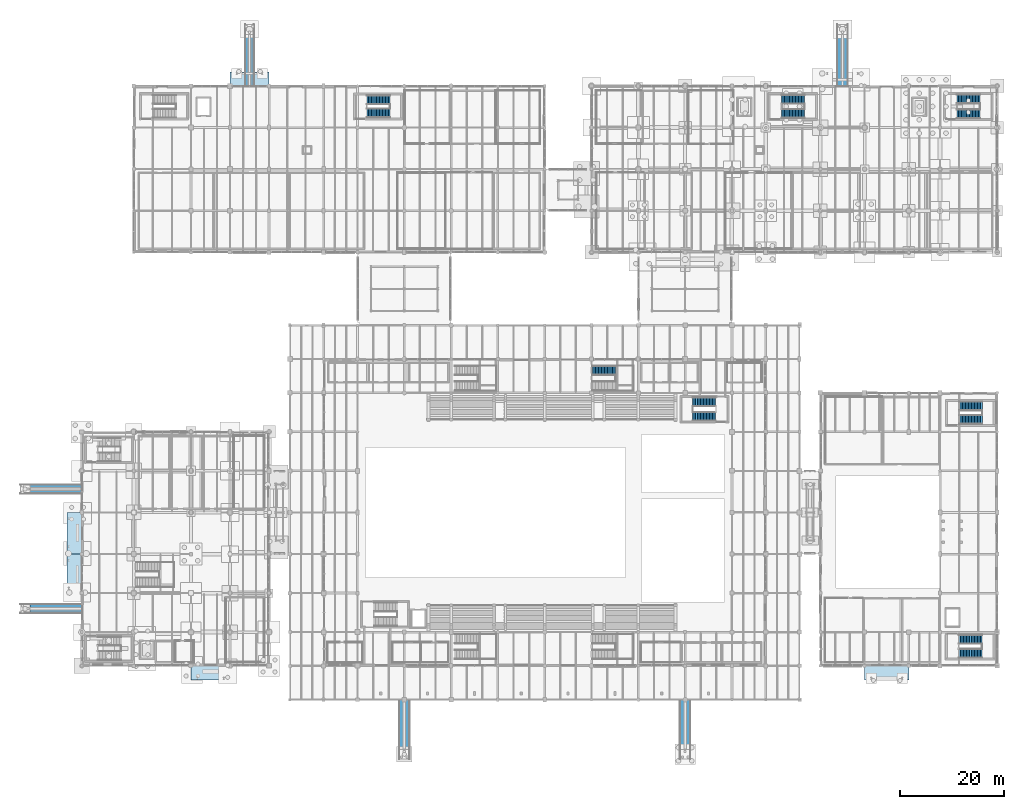
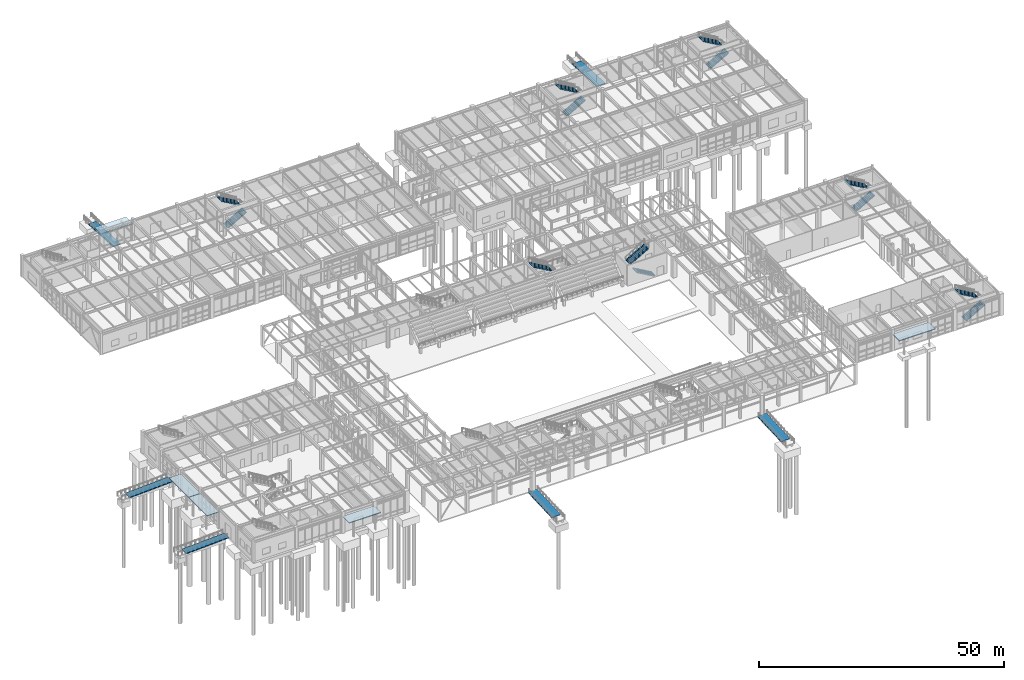
# One storey, part 186 of 203: 13 stair flights, 6 ramp flights, 5 roofs, 13 elements without a shape of their own.
"""IFC4 building model written with IfcOpenShell, lengths in metres."""

from ifc_helpers import new_model, si_unit, direction, frame, origin, place, context, subcontext, project, spatial, polyline, outline, extrude, material, layer, layer_set, type_object, element, aggregate, save


model = new_model("IFC4")

# Units and contexts
model_context = context("Model", 3, precision=1e-05, world=origin(), true_north=direction((0.0, 1.0)))
body_context = subcontext(model_context, "Body", "Model", "MODEL_VIEW")
ifc_project = project(units=[si_unit("LENGTHUNIT", "METRE"), si_unit("AREAUNIT", "SQUARE_METRE"), si_unit("VOLUMEUNIT", "CUBIC_METRE"), si_unit("PLANEANGLEUNIT", "RADIAN"), si_unit("MASSUNIT", "GRAM", prefix="KILO"), si_unit("THERMODYNAMICTEMPERATUREUNIT", "KELVIN"), si_unit("POWERUNIT", "WATT")], contexts=[model_context])

# Site, building, storey
site_placement = place(None, origin())
site = spatial("IfcSite", under=ifc_project, at=site_placement, CompositionType="ELEMENT")
building_placement = place(site_placement, origin())
building = spatial("IfcBuilding", under=site, at=building_placement, Name="Tepalcoro Natatorium and Aquatics Centre", CompositionType="ELEMENT")
storey_placement = place(building_placement, origin())
storey = spatial("IfcBuildingStorey", under=building, at=storey_placement, Name="L00", CompositionType="ELEMENT", Elevation=0.0)

# Stair, stair flights
ifc_material_1 = material(Name="Concrete C35/45 (fc 35 MPa)", Category="concrete")
stair_type_1 = type_object("IfcStairType", Name="ST_RC_1800_L03", PredefinedType="HALF_TURN_STAIR", material=ifc_material_1)
stair_1_placement = place(storey_placement, origin())
stair_1 = element("IfcStair", 1, at=stair_1_placement, inside=storey, type_object=stair_type_1, Name="Diving Wing North Fire Stair (L00 to L01)", PredefinedType="HALF_TURN_STAIR")
ifc_layer_1 = layer(ifc_material_1, 0.199951171875)
ifc_layer_set_1 = layer_set([ifc_layer_1], Name="Concrete C35/45 (fc 35 MPa)")
stair_flight_type_1 = type_object("IfcStairFlightType", Name="SF_RC_1800_B1", PredefinedType="STRAIGHT", material=ifc_layer_set_1)
stair_flight_1_placement = place(storey_placement, frame((168.699951171875, 53.840087890625, 0.0), z_axis=(0.0, 0.0, 1.0), x_axis=(1.0, 0.0, 0.0)))
stair_flight_1 = element("IfcStairFlight", 2, at=stair_flight_1_placement, type_object=stair_flight_type_1, Name="Diving Wing North Fire Stair (L00 to L01) Flight 1", NumberOfRisers=16, NumberOfTreads=15, PredefinedType="STRAIGHT", RiserHeight=0.16875, TreadLength=0.295, context=body_context, shape_type="SweptSolid", body=[
    extrude(outline(polyline([(0.0, 0.0), (0.0, 0.168701171875), (0.294921875, 0.168701171875), (0.294921875, 0.33740234375), (0.590087890625, 0.33740234375), (0.590087890625, 0.50634765625), (0.885009765625, 0.50634765625), (0.885009765625, 0.675048828125), (1.179931640625, 0.675048828125), (1.179931640625, 0.84375), (1.47509765625, 0.84375), (1.47509765625, 1.012451171875), (1.77001953125, 1.012451171875), (1.77001953125, 1.18115234375), (2.06494140625, 1.18115234375), (2.06494140625, 1.35009765625), (2.360107421875, 1.35009765625), (2.360107421875, 1.518798828125), (2.655029296875, 1.518798828125), (2.655029296875, 1.6875), (2.949951171875, 1.6875), (2.949951171875, 1.856201171875), (3.2451171875, 1.856201171875), (3.2451171875, 2.02490234375), (3.5400390625, 2.02490234375), (3.5400390625, 2.19384765625), (3.8349609375, 2.19384765625), (3.8349609375, 2.362548828125), (4.1298828125, 2.362548828125), (4.1298828125, 2.53125), (4.425048828125, 2.53125), (4.425048828125, 2.699951171875), (4.425048828125, 2.30078125), (0.402587890625, 0.0), (0.0, 0.0)])), frame((0.0, 0.89990234375, 0.0), z_axis=(0.0, -1.0, 0.0), x_axis=(1.0, 0.0, 0.0)), (0.0, 0.0, 1.0), 1.800048828125),
])
stair_flight_2_placement = place(storey_placement, frame((173.125, 56.4599609375, 2.699951171875), z_axis=(0.0, 0.0, 1.0), x_axis=(-1.0, 0.0, 0.0)))
stair_flight_2 = element("IfcStairFlight", 3, at=stair_flight_2_placement, type_object=stair_flight_type_1, Name="Diving Wing North Fire Stair (L00 to L01) Flight 2", NumberOfRisers=16, NumberOfTreads=15, PredefinedType="STRAIGHT", RiserHeight=0.16875, TreadLength=0.295, context=body_context, shape_type="SweptSolid", body=[
    extrude(outline(polyline([(0.0, 0.0), (0.0, 0.168701171875), (0.294921875, 0.168701171875), (0.294921875, 0.33740234375), (0.590087890625, 0.33740234375), (0.590087890625, 0.50634765625), (0.885009765625, 0.50634765625), (0.885009765625, 0.675048828125), (1.179931640625, 0.675048828125), (1.179931640625, 0.84375), (1.47509765625, 0.84375), (1.47509765625, 1.012451171875), (1.77001953125, 1.012451171875), (1.77001953125, 1.18115234375), (2.06494140625, 1.18115234375), (2.06494140625, 1.35009765625), (2.360107421875, 1.35009765625), (2.360107421875, 1.518798828125), (2.655029296875, 1.518798828125), (2.655029296875, 1.6875), (2.949951171875, 1.6875), (2.949951171875, 1.856201171875), (3.2451171875, 1.856201171875), (3.2451171875, 2.02490234375), (3.5400390625, 2.02490234375), (3.5400390625, 2.19384765625), (3.8349609375, 2.19384765625), (3.8349609375, 2.362548828125), (4.1298828125, 2.362548828125), (4.1298828125, 2.53125), (4.425048828125, 2.53125), (4.425048828125, 2.699951171875), (4.425048828125, 2.30078125), (0.402587890625, 0.0), (0.0, 0.0)])), frame((0.0, 0.89990234375, 0.0), z_axis=(0.0, -1.0, 0.0), x_axis=(1.0, 0.0, 0.0)), (0.0, 0.0, 1.0), 1.800048828125),
])
aggregate(stair_1, [stair_flight_1, stair_flight_2])

stair_type_2 = type_object("IfcStairType", Name="ST_RC_1800_L02", PredefinedType="HALF_TURN_STAIR", material=ifc_material_1)
stair_2_placement = place(storey_placement, origin())
stair_2 = element("IfcStair", 4, at=stair_2_placement, inside=storey, type_object=stair_type_2, Name="Training Wing East Fire Stair (L00 to L01)", PredefinedType="HALF_TURN_STAIR")
stair_flight_3_placement = place(storey_placement, frame((54.85009765625, 112.739990234375, 0.0), z_axis=(0.0, 0.0, 1.0), x_axis=(1.0, 0.0, 0.0)))
stair_flight_3 = element("IfcStairFlight", 5, at=stair_flight_3_placement, type_object=stair_flight_type_1, Name="Training Wing East Fire Stair (L00 to L01) Flight 1", NumberOfRisers=16, NumberOfTreads=15, PredefinedType="STRAIGHT", RiserHeight=0.16875, TreadLength=0.295, context=body_context, shape_type="SweptSolid", body=[
    extrude(outline(polyline([(0.0, 0.0), (0.0, 0.168701171875), (0.294921875, 0.168701171875), (0.294921875, 0.33740234375), (0.590087890625, 0.33740234375), (0.590087890625, 0.50634765625), (0.885009765625, 0.50634765625), (0.885009765625, 0.675048828125), (1.179931640625, 0.675048828125), (1.179931640625, 0.84375), (1.47509765625, 0.84375), (1.47509765625, 1.012451171875), (1.77001953125, 1.012451171875), (1.77001953125, 1.18115234375), (2.06494140625, 1.18115234375), (2.06494140625, 1.35009765625), (2.360107421875, 1.35009765625), (2.360107421875, 1.518798828125), (2.655029296875, 1.518798828125), (2.655029296875, 1.6875), (2.949951171875, 1.6875), (2.949951171875, 1.856201171875), (3.2451171875, 1.856201171875), (3.2451171875, 2.02490234375), (3.5400390625, 2.02490234375), (3.5400390625, 2.19384765625), (3.8349609375, 2.19384765625), (3.8349609375, 2.362548828125), (4.1298828125, 2.362548828125), (4.1298828125, 2.53125), (4.425048828125, 2.53125), (4.425048828125, 2.699951171875), (4.425048828125, 2.30078125), (0.402587890625, 0.0), (0.0, 0.0)])), frame((0.0, 0.89990234375, 0.0), z_axis=(0.0, -1.0, 0.0), x_axis=(1.0, 0.0, 0.0)), (0.0, 0.0, 1.0), 1.800048828125),
])
stair_flight_4_placement = place(storey_placement, frame((59.27490234375, 115.360107421875, 2.699951171875), z_axis=(0.0, 0.0, 1.0), x_axis=(-1.0, 0.0, 0.0)))
stair_flight_4 = element("IfcStairFlight", 6, at=stair_flight_4_placement, type_object=stair_flight_type_1, Name="Training Wing East Fire Stair (L00 to L01) Flight 2", NumberOfRisers=16, NumberOfTreads=15, PredefinedType="STRAIGHT", RiserHeight=0.16875, TreadLength=0.295, context=body_context, shape_type="SweptSolid", body=[
    extrude(outline(polyline([(0.0, 0.0), (0.0, 0.168701171875), (0.294921875, 0.168701171875), (0.294921875, 0.33740234375), (0.590087890625, 0.33740234375), (0.590087890625, 0.50634765625), (0.885009765625, 0.50634765625), (0.885009765625, 0.675048828125), (1.179931640625, 0.675048828125), (1.179931640625, 0.84375), (1.47509765625, 0.84375), (1.47509765625, 1.012451171875), (1.77001953125, 1.012451171875), (1.77001953125, 1.18115234375), (2.06494140625, 1.18115234375), (2.06494140625, 1.35009765625), (2.360107421875, 1.35009765625), (2.360107421875, 1.518798828125), (2.655029296875, 1.518798828125), (2.655029296875, 1.6875), (2.949951171875, 1.6875), (2.949951171875, 1.856201171875), (3.2451171875, 1.856201171875), (3.2451171875, 2.02490234375), (3.5400390625, 2.02490234375), (3.5400390625, 2.19384765625), (3.8349609375, 2.19384765625), (3.8349609375, 2.362548828125), (4.1298828125, 2.362548828125), (4.1298828125, 2.53125), (4.425048828125, 2.53125), (4.425048828125, 2.699951171875), (4.425048828125, 2.30078125), (0.402587890625, 0.0), (0.0, 0.0)])), frame((0.0, 0.89990234375, 0.0), z_axis=(0.0, -1.0, 0.0), x_axis=(1.0, 0.0, 0.0)), (0.0, 0.0, 1.0), 1.800048828125),
])
aggregate(stair_2, [stair_flight_3, stair_flight_4])

stair_3_placement = place(storey_placement, origin())
stair_3 = element("IfcStair", 7, at=stair_3_placement, inside=storey, type_object=stair_type_2, Name="Wellness & Broadcast West Fire Stair (L00 to L01)", PredefinedType="HALF_TURN_STAIR")
stair_flight_5_placement = place(storey_placement, frame((134.550048828125, 112.639892578125, 0.0), z_axis=(0.0, 0.0, 1.0), x_axis=(1.0, 0.0, 0.0)))
stair_flight_5 = element("IfcStairFlight", 8, at=stair_flight_5_placement, type_object=stair_flight_type_1, Name="Wellness & Broadcast West Fire Stair (L00 to L01) Flight 1", NumberOfRisers=16, NumberOfTreads=15, PredefinedType="STRAIGHT", RiserHeight=0.16875, TreadLength=0.295, context=body_context, shape_type="SweptSolid", body=[
    extrude(outline(polyline([(0.0, 0.0), (0.0, 0.168701171875), (0.294921875, 0.168701171875), (0.294921875, 0.33740234375), (0.590087890625, 0.33740234375), (0.590087890625, 0.50634765625), (0.885009765625, 0.50634765625), (0.885009765625, 0.675048828125), (1.179931640625, 0.675048828125), (1.179931640625, 0.84375), (1.47509765625, 0.84375), (1.47509765625, 1.012451171875), (1.77001953125, 1.012451171875), (1.77001953125, 1.18115234375), (2.06494140625, 1.18115234375), (2.06494140625, 1.35009765625), (2.360107421875, 1.35009765625), (2.360107421875, 1.518798828125), (2.655029296875, 1.518798828125), (2.655029296875, 1.6875), (2.949951171875, 1.6875), (2.949951171875, 1.856201171875), (3.2451171875, 1.856201171875), (3.2451171875, 2.02490234375), (3.5400390625, 2.02490234375), (3.5400390625, 2.19384765625), (3.8349609375, 2.19384765625), (3.8349609375, 2.362548828125), (4.1298828125, 2.362548828125), (4.1298828125, 2.53125), (4.425048828125, 2.53125), (4.425048828125, 2.699951171875), (4.425048828125, 2.30078125), (0.402587890625, 0.0), (0.0, 0.0)])), frame((0.0, 0.89990234375, 0.0), z_axis=(0.0, -1.0, 0.0), x_axis=(1.0, 0.0, 0.0)), (0.0, 0.0, 1.0), 1.800048828125),
])
stair_flight_6_placement = place(storey_placement, frame((138.97509765625, 115.4599609375, 2.699951171875), z_axis=(0.0, 0.0, 1.0), x_axis=(-1.0, 0.0, 0.0)))
stair_flight_6 = element("IfcStairFlight", 9, at=stair_flight_6_placement, type_object=stair_flight_type_1, Name="Wellness & Broadcast West Fire Stair (L00 to L01) Flight 2", NumberOfRisers=16, NumberOfTreads=15, PredefinedType="STRAIGHT", RiserHeight=0.16875, TreadLength=0.295, context=body_context, shape_type="SweptSolid", body=[
    extrude(outline(polyline([(0.0, 0.0), (0.0, 0.168701171875), (0.294921875, 0.168701171875), (0.294921875, 0.33740234375), (0.590087890625, 0.33740234375), (0.590087890625, 0.50634765625), (0.885009765625, 0.50634765625), (0.885009765625, 0.675048828125), (1.179931640625, 0.675048828125), (1.179931640625, 0.84375), (1.47509765625, 0.84375), (1.47509765625, 1.012451171875), (1.77001953125, 1.012451171875), (1.77001953125, 1.18115234375), (2.06494140625, 1.18115234375), (2.06494140625, 1.35009765625), (2.360107421875, 1.35009765625), (2.360107421875, 1.518798828125), (2.655029296875, 1.518798828125), (2.655029296875, 1.6875), (2.949951171875, 1.6875), (2.949951171875, 1.856201171875), (3.2451171875, 1.856201171875), (3.2451171875, 2.02490234375), (3.5400390625, 2.02490234375), (3.5400390625, 2.19384765625), (3.8349609375, 2.19384765625), (3.8349609375, 2.362548828125), (4.1298828125, 2.362548828125), (4.1298828125, 2.53125), (4.425048828125, 2.53125), (4.425048828125, 2.699951171875), (4.425048828125, 2.30078125), (0.402587890625, 0.0), (0.0, 0.0)])), frame((0.0, 0.89990234375, 0.0), z_axis=(0.0, -1.0, 0.0), x_axis=(1.0, 0.0, 0.0)), (0.0, 0.0, 1.0), 1.800048828125),
])
aggregate(stair_3, [stair_flight_5, stair_flight_6])

stair_4_placement = place(storey_placement, origin())
stair_4 = element("IfcStair", 10, at=stair_4_placement, inside=storey, type_object=stair_type_1, Name="Wellness & Broadcast East Fire Stair (L00 to L01)", PredefinedType="HALF_TURN_STAIR")
ifc_layer_2 = layer(ifc_material_1, 0.2099609375)
ifc_layer_set_2 = layer_set([ifc_layer_2], Name="Concrete C35/45 (fc 35 MPa)")
stair_flight_type_2 = type_object("IfcStairFlightType", Name="SF_RC_1800_L00", PredefinedType="STRAIGHT", material=ifc_layer_set_2)
stair_flight_7_placement = place(storey_placement, frame((168.280029296875, 112.6201171875, 0.0), z_axis=(0.0, 0.0, 1.0), x_axis=(1.0, 0.0, 0.0)))
stair_flight_7 = element("IfcStairFlight", 11, at=stair_flight_7_placement, type_object=stair_flight_type_2, Name="Wellness & Broadcast East Fire Stair (L00 to L01) Flight 1", NumberOfRisers=16, NumberOfTreads=15, PredefinedType="STRAIGHT", RiserHeight=0.16875, TreadLength=0.295, context=body_context, shape_type="SweptSolid", body=[
    extrude(outline(polyline([(0.0, 0.0), (0.0, 0.168701171875), (0.294921875, 0.168701171875), (0.294921875, 0.33740234375), (0.590087890625, 0.33740234375), (0.590087890625, 0.50634765625), (0.885009765625, 0.50634765625), (0.885009765625, 0.675048828125), (1.179931640625, 0.675048828125), (1.179931640625, 0.84375), (1.47509765625, 0.84375), (1.47509765625, 1.012451171875), (1.77001953125, 1.012451171875), (1.77001953125, 1.18115234375), (2.06494140625, 1.18115234375), (2.06494140625, 1.35009765625), (2.360107421875, 1.35009765625), (2.360107421875, 1.518798828125), (2.655029296875, 1.518798828125), (2.655029296875, 1.6875), (2.949951171875, 1.6875), (2.949951171875, 1.856201171875), (3.2451171875, 1.856201171875), (3.2451171875, 2.02490234375), (3.5400390625, 2.02490234375), (3.5400390625, 2.19384765625), (3.8349609375, 2.19384765625), (3.8349609375, 2.362548828125), (4.1298828125, 2.362548828125), (4.1298828125, 2.53125), (4.425048828125, 2.53125), (4.425048828125, 2.699951171875), (4.425048828125, 2.289306640625), (0.4228515625, 0.0), (0.0, 0.0)])), frame((0.0, 0.89990234375, 0.0), z_axis=(0.0, -1.0, 0.0), x_axis=(1.0, 0.0, 0.0)), (0.0, 0.0, 1.0), 1.800048828125),
])
stair_flight_8_placement = place(storey_placement, frame((172.705078125, 115.47998046875, 2.699951171875), z_axis=(0.0, 0.0, 1.0), x_axis=(-1.0, 0.0, 0.0)))
stair_flight_8 = element("IfcStairFlight", 12, at=stair_flight_8_placement, type_object=stair_flight_type_2, Name="Wellness & Broadcast East Fire Stair (L00 to L01) Flight 2", NumberOfRisers=16, NumberOfTreads=15, PredefinedType="STRAIGHT", RiserHeight=0.16875, TreadLength=0.295, context=body_context, shape_type="SweptSolid", body=[
    extrude(outline(polyline([(0.0, 0.0), (0.0, 0.168701171875), (0.294921875, 0.168701171875), (0.294921875, 0.33740234375), (0.590087890625, 0.33740234375), (0.590087890625, 0.50634765625), (0.885009765625, 0.50634765625), (0.885009765625, 0.675048828125), (1.179931640625, 0.675048828125), (1.179931640625, 0.84375), (1.47509765625, 0.84375), (1.47509765625, 1.012451171875), (1.77001953125, 1.012451171875), (1.77001953125, 1.18115234375), (2.06494140625, 1.18115234375), (2.06494140625, 1.35009765625), (2.360107421875, 1.35009765625), (2.360107421875, 1.518798828125), (2.655029296875, 1.518798828125), (2.655029296875, 1.6875), (2.949951171875, 1.6875), (2.949951171875, 1.856201171875), (3.2451171875, 1.856201171875), (3.2451171875, 2.02490234375), (3.5400390625, 2.02490234375), (3.5400390625, 2.19384765625), (3.8349609375, 2.19384765625), (3.8349609375, 2.362548828125), (4.1298828125, 2.362548828125), (4.1298828125, 2.53125), (4.425048828125, 2.53125), (4.425048828125, 2.699951171875), (4.425048828125, 2.289306640625), (0.4228515625, 0.0), (0.0, 0.0)])), frame((0.0, 0.89990234375, 0.0), z_axis=(0.0, -1.0, 0.0), x_axis=(1.0, 0.0, 0.0)), (0.0, 0.0, 1.0), 1.800048828125),
])
aggregate(stair_4, [stair_flight_7, stair_flight_8])

stair_type_3 = type_object("IfcStairType", Name="ST_RC_1800_L01", PredefinedType="HALF_TURN_STAIR", material=ifc_material_1)
stair_5_placement = place(storey_placement, origin())
stair_5 = element("IfcStair", 13, at=stair_5_placement, inside=storey, type_object=stair_type_3, Name="Natatorium East Fire Stair (L00 to L01)", PredefinedType="HALF_TURN_STAIR")
ifc_layer_3 = layer(ifc_material_1, 0.219970703125)
ifc_layer_set_3 = layer_set([ifc_layer_3], Name="Concrete C35/45 (fc 35 MPa)")
stair_flight_type_3 = type_object("IfcStairFlightType", Name="SF_RC_1800_L01", PredefinedType="STRAIGHT", material=ifc_layer_set_3)
stair_flight_9_placement = place(storey_placement, frame((121.8701171875, 54.419921875, 0.0), z_axis=(0.0, 0.0, 1.0), x_axis=(-1.0, 0.0, 0.0)))
stair_flight_9 = element("IfcStairFlight", 14, at=stair_flight_9_placement, type_object=stair_flight_type_3, Name="Natatorium East Fire Stair (L00 to L01) Flight 1", NumberOfRisers=16, NumberOfTreads=15, PredefinedType="STRAIGHT", RiserHeight=0.16875, TreadLength=0.295, context=body_context, shape_type="SweptSolid", body=[
    extrude(outline(polyline([(0.0, 0.0), (0.0, 0.168701171875), (0.294921875, 0.168701171875), (0.294921875, 0.33740234375), (0.590087890625, 0.33740234375), (0.590087890625, 0.50634765625), (0.885009765625, 0.50634765625), (0.885009765625, 0.675048828125), (1.179931640625, 0.675048828125), (1.179931640625, 0.84375), (1.47509765625, 0.84375), (1.47509765625, 1.012451171875), (1.77001953125, 1.012451171875), (1.77001953125, 1.18115234375), (2.06494140625, 1.18115234375), (2.06494140625, 1.35009765625), (2.360107421875, 1.35009765625), (2.360107421875, 1.518798828125), (2.655029296875, 1.518798828125), (2.655029296875, 1.6875), (2.949951171875, 1.6875), (2.949951171875, 1.856201171875), (3.2451171875, 1.856201171875), (3.2451171875, 2.02490234375), (3.5400390625, 2.02490234375), (3.5400390625, 2.19384765625), (3.8349609375, 2.19384765625), (3.8349609375, 2.362548828125), (4.1298828125, 2.362548828125), (4.1298828125, 2.53125), (4.425048828125, 2.53125), (4.425048828125, 2.699951171875), (4.425048828125, 2.27783203125), (0.443115234375, 0.0), (0.0, 0.0)])), frame((0.0, 0.89990234375, 0.0), z_axis=(0.0, -1.0, 0.0), x_axis=(1.0, 0.0, 0.0)), (0.0, 0.0, 1.0), 1.800048828125),
])
stair_flight_10_placement = place(storey_placement, frame((117.445068359375, 57.280029296875, 2.699951171875), z_axis=(0.0, 0.0, 1.0), x_axis=(1.0, 0.0, 0.0)))
stair_flight_10 = element("IfcStairFlight", 15, at=stair_flight_10_placement, type_object=stair_flight_type_3, Name="Natatorium East Fire Stair (L00 to L01) Flight 2", NumberOfRisers=16, NumberOfTreads=15, PredefinedType="STRAIGHT", RiserHeight=0.16875, TreadLength=0.295, context=body_context, shape_type="SweptSolid", body=[
    extrude(outline(polyline([(0.0, 0.0), (0.0, 0.168701171875), (0.294921875, 0.168701171875), (0.294921875, 0.33740234375), (0.590087890625, 0.33740234375), (0.590087890625, 0.50634765625), (0.885009765625, 0.50634765625), (0.885009765625, 0.675048828125), (1.179931640625, 0.675048828125), (1.179931640625, 0.84375), (1.47509765625, 0.84375), (1.47509765625, 1.012451171875), (1.77001953125, 1.012451171875), (1.77001953125, 1.18115234375), (2.06494140625, 1.18115234375), (2.06494140625, 1.35009765625), (2.360107421875, 1.35009765625), (2.360107421875, 1.518798828125), (2.655029296875, 1.518798828125), (2.655029296875, 1.6875), (2.949951171875, 1.6875), (2.949951171875, 1.856201171875), (3.2451171875, 1.856201171875), (3.2451171875, 2.02490234375), (3.5400390625, 2.02490234375), (3.5400390625, 2.19384765625), (3.8349609375, 2.19384765625), (3.8349609375, 2.362548828125), (4.1298828125, 2.362548828125), (4.1298828125, 2.53125), (4.425048828125, 2.53125), (4.425048828125, 2.699951171875), (4.425048828125, 2.27783203125), (0.443115234375, 0.0), (0.0, 0.0)])), frame((0.0, 0.89990234375, 0.0), z_axis=(0.0, -1.0, 0.0), x_axis=(1.0, 0.0, 0.0)), (0.0, 0.0, 1.0), 1.800048828125),
])
aggregate(stair_5, [stair_flight_9, stair_flight_10])

stair_6_placement = place(storey_placement, origin())
stair_6 = element("IfcStair", 16, at=stair_6_placement, inside=storey, type_object=stair_type_2, Name="Diving Wing South Fire Stair (L00 to L01)", PredefinedType="HALF_TURN_STAIR")
ifc_layer_4 = layer(ifc_material_1, 0.18994140625)
ifc_layer_set_4 = layer_set([ifc_layer_4], Name="Concrete C35/45 (fc 35 MPa)")
stair_flight_type_4 = type_object("IfcStairFlightType", Name="SF_RC_1800_L02", PredefinedType="STRAIGHT", material=ifc_layer_set_4)
stair_flight_11_placement = place(storey_placement, frame((168.64990234375, 8.889892578125, 0.0), z_axis=(0.0, 0.0, 1.0), x_axis=(1.0, 0.0, 0.0)))
stair_flight_11 = element("IfcStairFlight", 17, at=stair_flight_11_placement, type_object=stair_flight_type_4, Name="Diving Wing South Fire Stair (L00 to L01) Flight 1", NumberOfRisers=16, NumberOfTreads=15, PredefinedType="STRAIGHT", RiserHeight=0.16875, TreadLength=0.295, context=body_context, shape_type="SweptSolid", body=[
    extrude(outline(polyline([(0.0, 0.0), (0.0, 0.168701171875), (0.294921875, 0.168701171875), (0.294921875, 0.33740234375), (0.590087890625, 0.33740234375), (0.590087890625, 0.50634765625), (0.885009765625, 0.50634765625), (0.885009765625, 0.675048828125), (1.179931640625, 0.675048828125), (1.179931640625, 0.84375), (1.47509765625, 0.84375), (1.47509765625, 1.012451171875), (1.77001953125, 1.012451171875), (1.77001953125, 1.18115234375), (2.06494140625, 1.18115234375), (2.06494140625, 1.35009765625), (2.360107421875, 1.35009765625), (2.360107421875, 1.518798828125), (2.655029296875, 1.518798828125), (2.655029296875, 1.6875), (2.949951171875, 1.6875), (2.949951171875, 1.856201171875), (3.2451171875, 1.856201171875), (3.2451171875, 2.02490234375), (3.5400390625, 2.02490234375), (3.5400390625, 2.19384765625), (3.8349609375, 2.19384765625), (3.8349609375, 2.362548828125), (4.1298828125, 2.362548828125), (4.1298828125, 2.53125), (4.425048828125, 2.53125), (4.425048828125, 2.699951171875), (4.425048828125, 2.3125), (0.382568359375, 0.0), (0.0, 0.0)])), frame((0.0, 0.89990234375, 0.0), z_axis=(0.0, -1.0, 0.0), x_axis=(1.0, 0.0, 0.0)), (0.0, 0.0, 1.0), 1.800048828125),
])
stair_flight_12_placement = place(storey_placement, frame((173.074951171875, 11.610107421875, 2.699951171875), z_axis=(0.0, 0.0, 1.0), x_axis=(-1.0, 0.0, 0.0)))
stair_flight_12 = element("IfcStairFlight", 18, at=stair_flight_12_placement, type_object=stair_flight_type_4, Name="Diving Wing South Fire Stair (L00 to L01) Flight 2", NumberOfRisers=16, NumberOfTreads=15, PredefinedType="STRAIGHT", RiserHeight=0.16875, TreadLength=0.295, context=body_context, shape_type="SweptSolid", body=[
    extrude(outline(polyline([(0.0, 0.0), (0.0, 0.168701171875), (0.294921875, 0.168701171875), (0.294921875, 0.33740234375), (0.590087890625, 0.33740234375), (0.590087890625, 0.50634765625), (0.885009765625, 0.50634765625), (0.885009765625, 0.675048828125), (1.179931640625, 0.675048828125), (1.179931640625, 0.84375), (1.47509765625, 0.84375), (1.47509765625, 1.012451171875), (1.77001953125, 1.012451171875), (1.77001953125, 1.18115234375), (2.06494140625, 1.18115234375), (2.06494140625, 1.35009765625), (2.360107421875, 1.35009765625), (2.360107421875, 1.518798828125), (2.655029296875, 1.518798828125), (2.655029296875, 1.6875), (2.949951171875, 1.6875), (2.949951171875, 1.856201171875), (3.2451171875, 1.856201171875), (3.2451171875, 2.02490234375), (3.5400390625, 2.02490234375), (3.5400390625, 2.19384765625), (3.8349609375, 2.19384765625), (3.8349609375, 2.362548828125), (4.1298828125, 2.362548828125), (4.1298828125, 2.53125), (4.425048828125, 2.53125), (4.425048828125, 2.699951171875), (4.425048828125, 2.3125), (0.382568359375, 0.0), (0.0, 0.0)])), frame((0.0, 0.89990234375, 0.0), z_axis=(0.0, -1.0, 0.0), x_axis=(1.0, 0.0, 0.0)), (0.0, 0.0, 1.0), 1.800048828125),
])
aggregate(stair_6, [stair_flight_11, stair_flight_12])

# Stair, stair flight
stair_type_4 = type_object("IfcStairType", Name="ST_ST_1800_VOM2", PredefinedType="STRAIGHT_RUN_STAIR", material=ifc_material_1)
stair_7_placement = place(storey_placement, origin())
stair_7 = element("IfcStair", 19, at=stair_7_placement, inside=storey, type_object=stair_type_4, Name="Spectator Concourse Vomitory Stair NE", PredefinedType="STRAIGHT_RUN_STAIR")
ifc_layer_5 = layer(ifc_material_1, 0.179931640625)
ifc_layer_set_5 = layer_set([ifc_layer_5], Name="Concrete C35/45 (fc 35 MPa)")
stair_flight_type_5 = type_object("IfcStairFlightType", Name="SF_ST_1800_VOM", PredefinedType="STRAIGHT", material=ifc_layer_set_5)
stair_flight_13_placement = place(storey_placement, frame((102.5849609375, 63.2900390625, 2.699951171875), z_axis=(0.0, 0.0, 1.0), x_axis=(-1.0, 0.0, 0.0)))
stair_flight_13 = element("IfcStairFlight", 20, at=stair_flight_13_placement, type_object=stair_flight_type_5, Name="Spectator Concourse Vomitory Stair NE Flight 2", NumberOfRisers=16, NumberOfTreads=15, PredefinedType="STRAIGHT", RiserHeight=0.16875, TreadLength=0.295, context=body_context, shape_type="SweptSolid", body=[
    extrude(outline(polyline([(0.0, 0.0), (0.0, 0.168701171875), (0.294921875, 0.168701171875), (0.294921875, 0.33740234375), (0.590087890625, 0.33740234375), (0.590087890625, 0.50634765625), (0.885009765625, 0.50634765625), (0.885009765625, 0.675048828125), (1.179931640625, 0.675048828125), (1.179931640625, 0.84375), (1.47509765625, 0.84375), (1.47509765625, 1.012451171875), (1.77001953125, 1.012451171875), (1.77001953125, 1.18115234375), (2.06494140625, 1.18115234375), (2.06494140625, 1.35009765625), (2.360107421875, 1.35009765625), (2.360107421875, 1.518798828125), (2.655029296875, 1.518798828125), (2.655029296875, 1.6875), (2.949951171875, 1.6875), (2.949951171875, 1.856201171875), (3.2451171875, 1.856201171875), (3.2451171875, 2.02490234375), (3.5400390625, 2.02490234375), (3.5400390625, 2.19384765625), (3.8349609375, 2.19384765625), (3.8349609375, 2.362548828125), (4.1298828125, 2.362548828125), (4.1298828125, 2.53125), (4.425048828125, 2.53125), (4.425048828125, 2.699951171875), (4.425048828125, 2.323974609375), (0.3623046875, 0.0), (0.0, 0.0)])), frame((0.0, 0.89990234375, 0.0), z_axis=(0.0, -1.0, 0.0), x_axis=(1.0, 0.0, 0.0)), (0.0, 0.0, 1.0), 1.800048828125),
])
aggregate(stair_7, [stair_flight_13])

# Ramp, ramp flight
ramp_type_1 = type_object("IfcRampType", Name="RP_PED_1800", PredefinedType="STRAIGHT_RUN_RAMP", material=ifc_material_1)
ramp_1_placement = place(storey_placement, origin())
ramp_1 = element("IfcRamp", 21, at=ramp_1_placement, inside=storey, type_object=ramp_type_1, Name="V3 West Plaza Accessible Ramp North", PredefinedType="STRAIGHT_RUN_RAMP")
ifc_layer_6 = layer(ifc_material_1, 0.219970703125)
ifc_layer_set_6 = layer_set([ifc_layer_6], Name="Concrete C35/45 (fc 35 MPa)")
ramp_flight_type_1 = type_object("IfcRampFlightType", Name="RF_RP_PED_1800", PredefinedType="STRAIGHT", material=ifc_layer_set_6)
ramp_flight_1_placement = place(storey_placement, frame((-10.0, 16.60009765625, -0.47998046875), z_axis=(-0.047847284903, 0.0, 0.998854662765), x_axis=(0.998854662765, 0.0, 0.047847284903)))
ramp_flight_1 = element("IfcRampFlight", 22, at=ramp_flight_1_placement, type_object=ramp_flight_type_1, Name="V3 West Plaza Accessible Ramp North Flight", PredefinedType="STRAIGHT", context=body_context, shape_type="SweptSolid", body=[
    extrude(outline(polyline([(0.0, 0.0), (10.031508992021736, 0.0), (10.031508992021736, 1.7998046875), (0.0, 1.7998046875), (0.0, 0.0)])), origin(), (0.0, 0.0, -1.0), 0.219970703125),
])
aggregate(ramp_1, [ramp_flight_1])

ramp_2_placement = place(storey_placement, origin())
ramp_2 = element("IfcRamp", 23, at=ramp_2_placement, inside=storey, type_object=ramp_type_1, Name="V3 West Plaza Accessible Ramp South", PredefinedType="STRAIGHT_RUN_RAMP")
ramp_flight_2_placement = place(storey_placement, frame((-10.0, 39.60009765625, -0.47998046875), z_axis=(-0.047847284903, 0.0, 0.998854662765), x_axis=(0.998854662765, 0.0, 0.047847284903)))
ramp_flight_2 = element("IfcRampFlight", 24, at=ramp_flight_2_placement, type_object=ramp_flight_type_1, Name="V3 West Plaza Accessible Ramp South Flight", PredefinedType="STRAIGHT", context=body_context, shape_type="SweptSolid", body=[
    extrude(outline(polyline([(0.0, 0.0), (10.031508992021736, 0.0), (10.031508992021736, 1.7998046875), (0.0, 1.7998046875), (0.0, 0.0)])), origin(), (0.0, 0.0, -1.0), 0.219970703125),
])
aggregate(ramp_2, [ramp_flight_2])

ramp_3_placement = place(storey_placement, origin())
ramp_3 = element("IfcRamp", 25, at=ramp_3_placement, inside=storey, type_object=ramp_type_1, Name="V4 North Changing Entrance Accessible Ramp", PredefinedType="STRAIGHT_RUN_RAMP")
ramp_flight_3_placement = place(storey_placement, frame((31.35009765625, 128.0, -0.47998046875), z_axis=(0.0, 0.047847284903, 0.998854662765), x_axis=(0.0, -0.998854662765, 0.047847284903)))
ramp_flight_3 = element("IfcRampFlight", 26, at=ramp_flight_3_placement, type_object=ramp_flight_type_1, Name="V4 North Changing Entrance Accessible Ramp Flight", PredefinedType="STRAIGHT", context=body_context, shape_type="SweptSolid", body=[
    extrude(outline(polyline([(0.0, 0.0), (10.031508992021736, 0.0), (10.031508992021736, 1.7998046875), (0.0, 1.7998046875), (0.0, 0.0)])), origin(), (0.0, 0.0, -1.0), 0.219970703125),
])
aggregate(ramp_3, [ramp_flight_3])

ramp_type_2 = type_object("IfcRampType", Name="RP_PED_2100", PredefinedType="STRAIGHT_RUN_RAMP", material=ifc_material_1)
ramp_4_placement = place(storey_placement, origin())
ramp_4 = element("IfcRamp", 27, at=ramp_4_placement, inside=storey, type_object=ramp_type_2, Name="V1 South Colonnade Accessible Ramp West", PredefinedType="STRAIGHT_RUN_RAMP")
ifc_layer_7 = layer(ifc_material_1, 0.219970703125)
ifc_layer_set_7 = layer_set([ifc_layer_7], Name="Concrete C35/45 (fc 35 MPa)")
ramp_flight_type_2 = type_object("IfcRampFlightType", Name="RF_RP_PED_2100", PredefinedType="STRAIGHT", material=ifc_layer_set_7)
ramp_flight_4_placement = place(storey_placement, frame((63.050048828125, -9.60009765625, -0.47998046875), z_axis=(0.0, -0.049831426394, 0.998757642746), x_axis=(0.0, 0.998757642746, 0.049831426394)))
ramp_flight_4 = element("IfcRampFlight", 28, at=ramp_flight_4_placement, type_object=ramp_flight_type_2, Name="V1 South Colonnade Accessible Ramp West Flight", PredefinedType="STRAIGHT", context=body_context, shape_type="SweptSolid", body=[
    extrude(outline(polyline([(0.0, 0.0), (9.63208367652682, 0.0), (9.63208367652682, 2.10009765625), (0.0, 2.10009765625), (0.0, 0.0)])), origin(), (0.0, 0.0, -1.0), 0.219970703125),
])
aggregate(ramp_4, [ramp_flight_4])

ramp_5_placement = place(storey_placement, origin())
ramp_5 = element("IfcRamp", 29, at=ramp_5_placement, inside=storey, type_object=ramp_type_2, Name="V1 South Colonnade Accessible Ramp East", PredefinedType="STRAIGHT_RUN_RAMP")
ramp_flight_5_placement = place(storey_placement, frame((117.050048828125, -9.60009765625, -0.47998046875), z_axis=(0.0, -0.049831426394, 0.998757642746), x_axis=(0.0, 0.998757642746, 0.049831426394)))
ramp_flight_5 = element("IfcRampFlight", 30, at=ramp_flight_5_placement, type_object=ramp_flight_type_2, Name="V1 South Colonnade Accessible Ramp East Flight", PredefinedType="STRAIGHT", context=body_context, shape_type="SweptSolid", body=[
    extrude(outline(polyline([(0.0, 0.0), (9.63208367652682, 0.0), (9.63208367652682, 2.10009765625), (0.0, 2.10009765625), (0.0, 0.0)])), origin(), (0.0, 0.0, -1.0), 0.219970703125),
])
aggregate(ramp_5, [ramp_flight_5])

ramp_6_placement = place(storey_placement, origin())
ramp_6 = element("IfcRamp", 31, at=ramp_6_placement, inside=storey, type_object=ramp_type_2, Name="V5 North Athlete Clinic Accessible Ramp", PredefinedType="STRAIGHT_RUN_RAMP")
ramp_flight_6_placement = place(storey_placement, frame((145.199951171875, 128.0, -0.47998046875), z_axis=(0.0, 0.047847284903, 0.998854662765), x_axis=(0.0, -0.998854662765, 0.047847284903)))
ramp_flight_6 = element("IfcRampFlight", 32, at=ramp_flight_6_placement, type_object=ramp_flight_type_2, Name="V5 North Athlete Clinic Accessible Ramp Flight", PredefinedType="STRAIGHT", context=body_context, shape_type="SweptSolid", body=[
    extrude(outline(polyline([(0.0, 0.0), (10.031508992021736, 0.0), (10.031508992021736, 2.10009765625), (0.0, 2.10009765625), (0.0, 0.0)])), origin(), (0.0, 0.0, -1.0), 0.219970703125),
])
aggregate(ramp_6, [ramp_flight_6])

# Roofs
ifc_material_2 = material(Name="Bronze-Anodised Extruded Aluminium Alloy EN AW-6063 T6", Category="aluminium")
ifc_layer_8 = layer(ifc_material_2, 0.179931640625)
ifc_layer_set_8 = layer_set([ifc_layer_8], Name="Bronze-Anodised Extruded Aluminium Alloy EN AW-6063 T6")
roof_type_1 = type_object("IfcRoofType", Name="RF_CANOPY_FLAT", PredefinedType="FLAT_ROOF", material=ifc_layer_set_8)
roof_1_placement = place(storey_placement, frame((0.0, 0.0, 3.85009765625)))
element("IfcRoof", 33, at=roof_1_placement, inside=storey, type_object=roof_type_1, Name="Civic Entrance Canopy CN_V3_W1", PredefinedType="FLAT_ROOF", context=body_context, shape_type="SweptSolid", body=[
    extrude(outline(polyline([(-2.800048828125, 20.5), (0.02001953125, 20.5), (0.02001953125, 28.0), (-2.800048828125, 28.0), (-2.800048828125, 20.5)])), origin(), (0.0, 0.0, 1.0), 0.179931640625),
])
roof_2_placement = place(storey_placement, frame((0.0, 0.0, 3.85009765625)))
element("IfcRoof", 34, at=roof_2_placement, inside=storey, type_object=roof_type_1, Name="Civic Entrance Canopy CN_V3_S1", PredefinedType="FLAT_ROOF", context=body_context, shape_type="SweptSolid", body=[
    extrude(outline(polyline([(21.0, 3.800048828125), (28.5, 3.800048828125), (28.5, 6.52001953125), (21.0, 6.52001953125), (21.0, 3.800048828125)])), origin(), (0.0, 0.0, 1.0), 0.179931640625),
])
roof_3_placement = place(storey_placement, frame((0.0, 0.0, 3.85009765625)))
element("IfcRoof", 35, at=roof_3_placement, inside=storey, type_object=roof_type_1, Name="Civic Entrance Canopy CN_V2_S1", PredefinedType="FLAT_ROOF", context=body_context, shape_type="SweptSolid", body=[
    extrude(outline(polyline([(150.5, 3.800048828125), (159.0, 3.800048828125), (159.0, 6.52001953125), (150.5, 6.52001953125), (150.5, 3.800048828125)])), origin(), (0.0, 0.0, 1.0), 0.179931640625),
])
ifc_layer_9 = layer(ifc_material_2, 0.219970703125)
ifc_layer_set_9 = layer_set([ifc_layer_9], Name="Bronze-Anodised Extruded Aluminium Alloy EN AW-6063 T6")
roof_type_2 = type_object("IfcRoofType", Name="RF_CANOPY_PITCH", PredefinedType="GABLE_ROOF", material=ifc_layer_set_9)
roof_4_placement = place(storey_placement, frame((0.0, 0.0, 3.85009765625)))
element("IfcRoof", 36, at=roof_4_placement, inside=storey, type_object=roof_type_2, Name="Civic Entrance Canopy CN_V3_W2", PredefinedType="GABLE_ROOF", context=body_context, shape_type="SweptSolid", body=[
    extrude(outline(polyline([(-2.800048828125, 28.0), (0.02001953125, 28.0), (0.02001953125, 36.0), (-2.800048828125, 36.0), (-2.800048828125, 28.0)])), origin(), (0.0, 0.0, 1.0), 0.219970703125),
])
roof_5_placement = place(storey_placement, frame((0.0, 0.0, 3.85009765625)))
element("IfcRoof", 37, at=roof_5_placement, inside=storey, type_object=roof_type_2, Name="Civic Entrance Canopy CN_V4_N1", PredefinedType="GABLE_ROOF", context=body_context, shape_type="SweptSolid", body=[
    extrude(outline(polyline([(28.5, 117.97998046875), (36.0, 117.97998046875), (36.0, 120.699951171875), (28.5, 120.699951171875), (28.5, 117.97998046875)])), origin(), (0.0, 0.0, 1.0), 0.219970703125),
])

save(model, "model.ifc")
